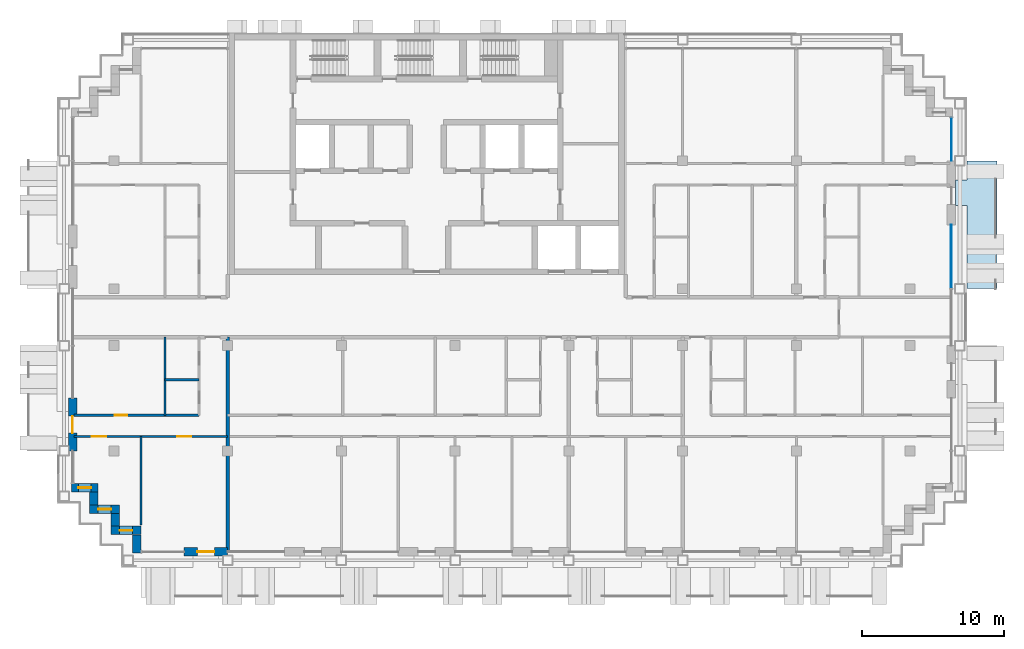
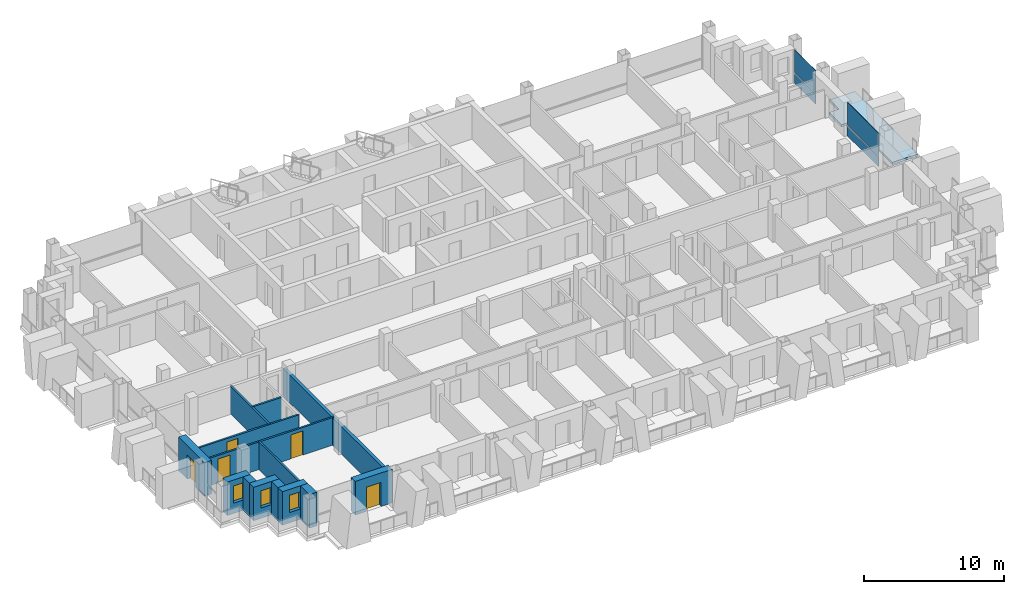
# One storey, part 7 of 16: 14 walls, 5 doors, 4 plates, 3 windows, 1 slab, 8 openings, 2 elements without a shape of their own.
"""IFC4 building model written with IfcOpenShell, lengths in metres."""

from ifc_helpers import new_model, si_unit, direction, frame, frame_2d, origin, origin_2d, place, context, subcontext, project, spatial, polyline, rectangle, outline, extrude, material, layer, layer_set, type_object, element, fill, aggregate, save


model = new_model("IFC4")

# Units and contexts
model_context = context("Model", 3, precision=1e-05, world=origin(), true_north=direction((0.0, 1.0)))
body_context = subcontext(model_context, "Body", "Model", "MODEL_VIEW")
ifc_project = project(units=[si_unit("LENGTHUNIT", "METRE"), si_unit("AREAUNIT", "SQUARE_METRE"), si_unit("VOLUMEUNIT", "CUBIC_METRE"), si_unit("PLANEANGLEUNIT", "RADIAN"), si_unit("MASSUNIT", "GRAM", prefix="KILO")], contexts=[model_context])

# Site, building, storey
site_placement = place(None, origin())
site = spatial("IfcSite", under=ifc_project, at=site_placement, CompositionType="ELEMENT")
building_placement = place(site_placement, origin())
building = spatial("IfcBuilding", under=site, at=building_placement, Name="Vidyagriha Tower", CompositionType="ELEMENT")
storey_placement = place(building_placement, frame((0.0, 0.0, 184.5)))
storey = spatial("IfcBuildingStorey", under=building, at=storey_placement, Name="L48", CompositionType="ELEMENT", Elevation=184.5)

# Curtain wall, plate
ifc_material_1 = material(Name="Aluminium and glass curtain wall", Category="aluminium")
curtain_wall_type = type_object("IfcCurtainWallType", Name="Dwelling skin unitised curtain wall", PredefinedType="USERDEFINED", material=ifc_material_1)
curtain_wall_1_placement = place(storey_placement, origin())
curtain_wall_1 = element("IfcCurtainWall", 1, at=curtain_wall_1_placement, inside=storey, type_object=curtain_wall_type, Name="CW1 dwelling skin", ObjectType="UNITISED", PredefinedType="USERDEFINED")
ifc_material_2 = material(Name="Glass dark ceramic-fritted spandrel", Category="glass")
ifc_layer_1 = layer(ifc_material_2, 0.0400390625)
ifc_layer_set_1 = layer_set([ifc_layer_1], Name="Glass dark ceramic-fritted spandrel")
plate_type_1 = type_object("IfcPlateType", Name="Ceramic-fritted spandrel panel", PredefinedType="CURTAIN_PANEL", material=ifc_layer_set_1)
plate_1_placement = place(storey_placement, frame((36.89990234375, 12.514892578125, 0.0), z_axis=(0.0, 0.0, 1.0), x_axis=(0.0, 1.0, 0.0)))
plate_1 = element("IfcPlate", 2, at=plate_1_placement, type_object=plate_type_1, Name="CW1 panel 1.1", PredefinedType="CURTAIN_PANEL", context=body_context, shape_type="SweptSolid", body=[
    extrude(rectangle(XDim=3.030029296875, YDim=0.0400390625, at=origin_2d()), origin(), (0.0, 0.0, 1.0), 0.85009765625),
])

curtain_wall_2_placement = place(storey_placement, origin())
curtain_wall_2 = element("IfcCurtainWall", 3, at=curtain_wall_2_placement, inside=storey, type_object=curtain_wall_type, Name="CW1 dwelling skin", ObjectType="UNITISED", PredefinedType="USERDEFINED")
ifc_material_3 = material(Name="Glass dark ceramic-fritted", Category="glass")
ifc_layer_2 = layer(ifc_material_3, 0.028076171875)
ifc_layer_set_2 = layer_set([ifc_layer_2], Name="Glass dark ceramic-fritted")
plate_type_2 = type_object("IfcPlateType", Name="Dark ceramic-fritted vision glass panel", PredefinedType="CURTAIN_PANEL", material=ifc_layer_set_2)
plate_2_placement = place(storey_placement, frame((36.89990234375, 4.267578125, 0.9501953125), z_axis=(0.0, 0.0, 1.0), x_axis=(0.0, 1.0, 0.0)))
plate_2 = element("IfcPlate", 4, at=plate_2_placement, type_object=plate_type_2, Name="CW1 panel 2.2", PredefinedType="CURTAIN_PANEL", context=body_context, shape_type="SweptSolid", body=[
    extrude(rectangle(XDim=4.465087890625, YDim=0.028076171875, at=origin_2d()), origin(), (0.0, 0.0, 1.0), 1.969970703125),
])

# Plate
plate_3_placement = place(storey_placement, frame((36.89990234375, 12.514892578125, 0.9501953125), z_axis=(0.0, 0.0, 1.0), x_axis=(0.0, 1.0, 0.0)))
plate_3 = element("IfcPlate", 5, at=plate_3_placement, type_object=plate_type_2, Name="CW1 panel 1.2", PredefinedType="CURTAIN_PANEL", context=body_context, shape_type="SweptSolid", body=[
    extrude(rectangle(XDim=3.030029296875, YDim=0.028076171875, at=origin_2d()), origin(), (0.0, 0.0, 1.0), 1.969970703125),
])

aggregate(curtain_wall_1, [plate_1, plate_3])

ifc_material_4 = material(Name="Aluminium black anodised", Category="aluminium")
ifc_layer_3 = layer(ifc_material_4, 0.06005859375)
ifc_layer_set_3 = layer_set([ifc_layer_3], Name="Aluminium black anodised")
plate_type_3 = type_object("IfcPlateType", Name="Operable black-metal vent panel", PredefinedType="CURTAIN_PANEL", material=ifc_layer_set_3)
plate_4_placement = place(storey_placement, frame((36.89990234375, 4.267578125, 0.0), z_axis=(0.0, 0.0, 1.0), x_axis=(0.0, 1.0, 0.0)))
plate_4 = element("IfcPlate", 6, at=plate_4_placement, type_object=plate_type_3, Name="CW1 panel 2.1", PredefinedType="CURTAIN_PANEL", context=body_context, shape_type="SweptSolid", body=[
    extrude(rectangle(XDim=4.465087890625, YDim=0.06005859375, at=origin_2d()), origin(), (0.0, 0.0, 1.0), 0.85009765625),
])

aggregate(curtain_wall_2, [plate_4, plate_2])

# Slab
ifc_material_5 = material(Name="Precast concrete C40/50", Category="concrete")
ifc_layer_4 = layer(ifc_material_5, 0.199951171875)
ifc_layer_set_4 = layer_set([ifc_layer_4], Name="Precast concrete C40/50")
slab_type = type_object("IfcSlabType", Name="Precast balcony slab 200", PredefinedType="USERDEFINED", material=ifc_layer_set_4)
slab_placement = place(storey_placement, frame((0.0, 0.0, -0.199951171875)))
element("IfcSlab", 7, at=slab_placement, inside=storey, type_object=slab_type, Name="Balcony slab L48 R30.2-2", ObjectType="BALCONY", PredefinedType="USERDEFINED", context=body_context, shape_type="SweptSolid", body=[
    extrude(outline(polyline([(38.0, 7.85009765625), (38.0, 2.0), (40.10009765625, 2.0), (40.10009765625, 11.0), (38.0, 11.0), (38.0, 9.64990234375), (37.199951171875, 9.64990234375), (37.199951171875, 7.85009765625), (38.0, 7.85009765625)])), origin(), (0.0, 0.0, 1.0), 0.199951171875),
])

# Wall, opening, door
ifc_material_6 = material(Name="Precast concrete C40/50 with brick facing", Category="concrete")
ifc_layer_5 = layer(ifc_material_6, 0.60009765625)
ifc_layer_set_5 = layer_set([ifc_layer_5], Name="Precast concrete C40/50 with brick facing")
wall_type_1 = type_object("IfcWallType", Name="Brick-faced precast wall 600", PredefinedType="STANDARD", material=ifc_layer_set_5)
wall_1_placement = place(storey_placement, frame((-24.89990234375, -5.699951171875, 0.0), z_axis=(0.0, 0.0, 1.0), x_axis=(0.0, -1.0, 0.0)))
wall_1 = element("IfcWall", 8, at=wall_1_placement, inside=storey, type_object=wall_type_1, Name="Brick door bay wall L48 R16.6", PredefinedType="STANDARD", context=body_context, shape_type="SweptSolid", body=[
    extrude(rectangle(XDim=3.699951171875, YDim=0.60009765625, at=frame_2d((1.85009765625, 0.0))), origin(), (0.0, 0.0, 1.0), 2.919921875),
])
opening_1_placement = place(wall_1_placement, frame((1.25, 0.0, 0.0)))
opening_1 = element("IfcOpeningElement", 9, at=opening_1_placement, cuts=wall_1, Name="Opening D48-68", PredefinedType="OPENING", context=body_context, shape_type="SweptSolid", body=[
    extrude(rectangle(XDim=1.199951171875, YDim=2.10009765625, at=frame_2d((0.60009765625, 1.050048828125))), frame((0.0, 0.31005859375, 0.0), z_axis=(0.0, -1.0, 0.0), x_axis=(1.0, 0.0, 0.0)), (0.0, 0.0, 1.0), 0.6201171875),
])
ifc_material_7 = material(Name="Aluminium framed glazed sliding door", Category="aluminium")
door_type_1 = type_object("IfcDoorType", Name="Balcony sliding door 1200x2100", OperationType="NOTDEFINED", PredefinedType="DOOR", material=ifc_material_7)
door_1_placement = place(opening_1_placement, origin())
door_1 = element("IfcDoor", 10, at=door_1_placement, inside=storey, type_object=door_type_1, Name="Door D48-68", OperationType="SLIDING_TO_LEFT", OverallHeight=2.10009765625, OverallWidth=1.199951171875, PredefinedType="DOOR", context=body_context, shape_type="SweptSolid", body=[
    extrude(rectangle(XDim=1.199951171875, YDim=2.10009765625, at=frame_2d((0.60009765625, 1.050048828125))), frame((0.0, 0.02490234375, 0.0), z_axis=(0.0, -1.0, 0.0), x_axis=(1.0, 0.0, 0.0)), (0.0, 0.0, 1.0), 0.050048828125),
])
fill(opening_1, door_1)

# Wall, opening, window
wall_2_placement = place(storey_placement, frame((-24.97998046875, -12.0, 0.0)))
wall_2 = element("IfcWall", 11, at=wall_2_placement, inside=storey, type_object=wall_type_1, Name="Stepped corner wall L48 R17", PredefinedType="STANDARD", context=body_context, shape_type="SweptSolid", body=[
    extrude(rectangle(XDim=1.8798828125, YDim=0.60009765625, at=frame_2d((0.93994140625, 0.0))), origin(), (0.0, 0.0, 1.0), 2.919921875),
])
opening_2_placement = place(wall_2_placement, frame((0.489990234375, 0.0, 0.89990234375)))
opening_2 = element("IfcOpeningElement", 12, at=opening_2_placement, cuts=wall_2, Name="Opening WN1", PredefinedType="OPENING", context=body_context, shape_type="SweptSolid", body=[
    extrude(rectangle(XDim=0.89990234375, YDim=1.5, at=frame_2d((0.449951171875, 0.75))), frame((0.0, 0.31005859375, 0.0), z_axis=(0.0, -1.0, 0.0), x_axis=(1.0, 0.0, 0.0)), (0.0, 0.0, 1.0), 0.6201171875),
])
ifc_material_8 = material(Name="Aluminium and glass window", Category="aluminium")
window_type = type_object("IfcWindowType", Name="Reveal window 900x1500", PartitioningType="NOTDEFINED", PredefinedType="WINDOW", material=ifc_material_8)
window_1_placement = place(opening_2_placement, origin())
window_1 = element("IfcWindow", 13, at=window_1_placement, inside=storey, type_object=window_type, Name="Reveal window L48 R17", OverallHeight=1.5, OverallWidth=0.89990234375, PartitioningType="SINGLE_PANEL", PredefinedType="WINDOW", context=body_context, shape_type="SweptSolid", body=[
    extrude(rectangle(XDim=0.89990234375, YDim=1.5, at=frame_2d((0.449951171875, 0.75))), frame((0.0, 0.030029296875, 0.0), z_axis=(0.0, -1.0, 0.0), x_axis=(1.0, 0.0, 0.0)), (0.0, 0.0, 1.0), 0.06005859375),
])
fill(opening_2, window_1)

# Wall
wall_3_placement = place(storey_placement, frame((-23.39990234375, -12.300048828125, 0.0), z_axis=(0.0, 0.0, 1.0), x_axis=(0.0, -1.0, 0.0)))
element("IfcWall", 14, at=wall_3_placement, inside=storey, type_object=wall_type_1, Name="Stepped corner wall L48 R18", PredefinedType="STANDARD", context=body_context, shape_type="SweptSolid", body=[
    extrude(rectangle(XDim=0.89990234375, YDim=0.60009765625, at=frame_2d((0.449951171875, 0.0))), origin(), (0.0, 0.0, 1.0), 2.919921875),
])

# Wall, opening, window
wall_4_placement = place(storey_placement, frame((-23.699951171875, -13.5, 0.0)))
wall_4 = element("IfcWall", 15, at=wall_4_placement, inside=storey, type_object=wall_type_1, Name="Stepped corner wall L48 R19", PredefinedType="STANDARD", context=body_context, shape_type="SweptSolid", body=[
    extrude(rectangle(XDim=2.099853515625, YDim=0.60009765625, at=frame_2d((1.0498046875, 0.0))), origin(), (0.0, 0.0, 1.0), 2.919921875),
])
opening_3_placement = place(wall_4_placement, frame((0.60009765625, 0.0, 0.89990234375)))
opening_3 = element("IfcOpeningElement", 16, at=opening_3_placement, cuts=wall_4, Name="Opening WN1", PredefinedType="OPENING", context=body_context, shape_type="SweptSolid", body=[
    extrude(rectangle(XDim=0.89990234375, YDim=1.5, at=frame_2d((0.449951171875, 0.75))), frame((0.0, 0.31005859375, 0.0), z_axis=(0.0, -1.0, 0.0), x_axis=(1.0, 0.0, 0.0)), (0.0, 0.0, 1.0), 0.6201171875),
])
window_2_placement = place(opening_3_placement, origin())
window_2 = element("IfcWindow", 17, at=window_2_placement, inside=storey, type_object=window_type, Name="Reveal window L48 R19", OverallHeight=1.5, OverallWidth=0.89990234375, PartitioningType="SINGLE_PANEL", PredefinedType="WINDOW", context=body_context, shape_type="SweptSolid", body=[
    extrude(rectangle(XDim=0.89990234375, YDim=1.5, at=frame_2d((0.449951171875, 0.75))), frame((0.0, 0.030029296875, 0.0), z_axis=(0.0, -1.0, 0.0), x_axis=(1.0, 0.0, 0.0)), (0.0, 0.0, 1.0), 0.06005859375),
])
fill(opening_3, window_2)

# Wall
wall_5_placement = place(storey_placement, frame((-21.89990234375, -13.800048828125, 0.0), z_axis=(0.0, 0.0, 1.0), x_axis=(0.0, -1.0, 0.0)))
element("IfcWall", 18, at=wall_5_placement, inside=storey, type_object=wall_type_1, Name="Stepped corner wall L48 R20", PredefinedType="STANDARD", context=body_context, shape_type="SweptSolid", body=[
    extrude(rectangle(XDim=0.89990234375, YDim=0.60009765625, at=frame_2d((0.449951171875, 0.0))), origin(), (0.0, 0.0, 1.0), 2.919921875),
])

# Wall, opening, window
wall_6_placement = place(storey_placement, frame((-22.199951171875, -15.0, 0.0)))
wall_6 = element("IfcWall", 19, at=wall_6_placement, inside=storey, type_object=wall_type_1, Name="Stepped corner wall L48 R21", PredefinedType="STANDARD", context=body_context, shape_type="SweptSolid", body=[
    extrude(rectangle(XDim=2.099853515625, YDim=0.60009765625, at=frame_2d((1.0498046875, 0.0))), origin(), (0.0, 0.0, 1.0), 2.919921875),
])
opening_4_placement = place(wall_6_placement, frame((0.60009765625, 0.0, 0.89990234375)))
opening_4 = element("IfcOpeningElement", 20, at=opening_4_placement, cuts=wall_6, Name="Opening WN1", PredefinedType="OPENING", context=body_context, shape_type="SweptSolid", body=[
    extrude(rectangle(XDim=0.89990234375, YDim=1.5, at=frame_2d((0.449951171875, 0.75))), frame((0.0, 0.31005859375, 0.0), z_axis=(0.0, -1.0, 0.0), x_axis=(1.0, 0.0, 0.0)), (0.0, 0.0, 1.0), 0.6201171875),
])
window_3_placement = place(opening_4_placement, origin())
window_3 = element("IfcWindow", 21, at=window_3_placement, inside=storey, type_object=window_type, Name="Reveal window L48 R21", OverallHeight=1.5, OverallWidth=0.89990234375, PartitioningType="SINGLE_PANEL", PredefinedType="WINDOW", context=body_context, shape_type="SweptSolid", body=[
    extrude(rectangle(XDim=0.89990234375, YDim=1.5, at=frame_2d((0.449951171875, 0.75))), frame((0.0, 0.030029296875, 0.0), z_axis=(0.0, -1.0, 0.0), x_axis=(1.0, 0.0, 0.0)), (0.0, 0.0, 1.0), 0.06005859375),
])
fill(opening_4, window_3)

# Wall
wall_7_placement = place(storey_placement, frame((-20.39990234375, -15.300048828125, 0.0), z_axis=(0.0, 0.0, 1.0), x_axis=(0.0, -1.0, 0.0)))
element("IfcWall", 22, at=wall_7_placement, inside=storey, type_object=wall_type_1, Name="Stepped corner wall L48 R22", PredefinedType="STANDARD", context=body_context, shape_type="SweptSolid", body=[
    extrude(rectangle(XDim=1.280029296875, YDim=0.60009765625, at=frame_2d((0.64013671875, 0.0))), origin(), (0.0, 0.0, 1.0), 2.919921875),
])

# Wall, opening, door
wall_8_placement = place(storey_placement, frame((-17.050048828125, -16.5, 0.0)))
wall_8 = element("IfcWall", 23, at=wall_8_placement, inside=storey, type_object=wall_type_1, Name="Brick door bay wall L48 R23.2", PredefinedType="STANDARD", context=body_context, shape_type="SweptSolid", body=[
    extrude(rectangle(XDim=3.050048828125, YDim=0.60009765625, at=frame_2d((1.52490234375, 0.0))), origin(), (0.0, 0.0, 1.0), 2.919921875),
])
opening_5_placement = place(wall_8_placement, frame((0.925048828125, 0.0, 0.0)))
opening_5 = element("IfcOpeningElement", 24, at=opening_5_placement, cuts=wall_8, Name="Opening D48-69", PredefinedType="OPENING", context=body_context, shape_type="SweptSolid", body=[
    extrude(rectangle(XDim=1.199951171875, YDim=2.10009765625, at=frame_2d((0.60009765625, 1.050048828125))), frame((0.0, 0.31005859375, 0.0), z_axis=(0.0, -1.0, 0.0), x_axis=(1.0, 0.0, 0.0)), (0.0, 0.0, 1.0), 0.6201171875),
])
door_2_placement = place(opening_5_placement, origin())
door_2 = element("IfcDoor", 25, at=door_2_placement, inside=storey, type_object=door_type_1, Name="Door D48-69", OperationType="SLIDING_TO_LEFT", OverallHeight=2.10009765625, OverallWidth=1.199951171875, PredefinedType="DOOR", context=body_context, shape_type="SweptSolid", body=[
    extrude(rectangle(XDim=1.199951171875, YDim=2.10009765625, at=frame_2d((0.60009765625, 1.050048828125))), frame((0.0, 0.02490234375, 0.0), z_axis=(0.0, -1.0, 0.0), x_axis=(1.0, 0.0, 0.0)), (0.0, 0.0, 1.0), 0.050048828125),
])
fill(opening_5, door_2)

# Walls
ifc_material_9 = material(Name="Fired clay brick masonry", Category="masonry")
ifc_layer_6 = layer(ifc_material_9, 0.25)
ifc_layer_set_6 = layer_set([ifc_layer_6], Name="Fired clay brick masonry")
wall_type_2 = type_object("IfcWallType", Name="Fired clay brick demising wall 250", PredefinedType="PARTITIONING", material=ifc_layer_set_6)
wall_9_placement = place(storey_placement, frame((-14.0, -1.39990234375, 0.0), z_axis=(0.0, 0.0, 1.0), x_axis=(0.0, -1.0, 0.0)))
element("IfcWall", 26, at=wall_9_placement, inside=storey, type_object=wall_type_2, Name="Wall all-L48-w035", PredefinedType="PARTITIONING", context=body_context, shape_type="SweptSolid", body=[
    extrude(rectangle(XDim=15.010009765625, YDim=0.25, at=frame_2d((7.5048828125, 0.0))), origin(), (0.0, 0.0, 1.0), 2.39990234375),
])
ifc_material_10 = material(Name="Gypsum board partition")
ifc_layer_7 = layer(ifc_material_10, 0.14990234375)
ifc_layer_set_7 = layer_set([ifc_layer_7], Name="Gypsum board partition")
wall_type_3 = type_object("IfcWallType", Name="Gypsum board partition 150", PredefinedType="PARTITIONING", material=ifc_layer_set_7)
wall_10_placement = place(storey_placement, frame((-16.0, -4.39990234375, 0.0), z_axis=(0.0, 0.0, 1.0), x_axis=(-1.0, 0.0, 0.0)))
element("IfcWall", 27, at=wall_10_placement, inside=storey, type_object=wall_type_3, Name="Wall all-L48-w004", PredefinedType="PARTITIONING", context=body_context, shape_type="SweptSolid", body=[
    extrude(rectangle(XDim=2.39990234375, YDim=0.14990234375, at=frame_2d((1.199951171875, 0.0))), origin(), (0.0, 0.0, 1.0), 2.39990234375),
])
wall_11_placement = place(storey_placement, frame((-18.39990234375, -6.89990234375, 0.0), z_axis=(0.0, 0.0, 1.0), x_axis=(0.0, 1.0, 0.0)))
element("IfcWall", 28, at=wall_11_placement, inside=storey, type_object=wall_type_3, Name="Wall all-L48-w005", PredefinedType="PARTITIONING", context=body_context, shape_type="SweptSolid", body=[
    extrude(rectangle(XDim=5.5, YDim=0.14990234375, at=frame_2d((2.75, 0.0))), origin(), (0.0, 0.0, 1.0), 2.39990234375),
])

# Wall, opening, door
wall_12_placement = place(storey_placement, frame((-24.81005859375, -6.89990234375, 0.0)))
wall_12 = element("IfcWall", 29, at=wall_12_placement, inside=storey, type_object=wall_type_3, Name="Wall all-L48-w006", PredefinedType="PARTITIONING", context=body_context, shape_type="SweptSolid", body=[
    extrude(rectangle(XDim=8.81005859375, YDim=0.14990234375, at=frame_2d((4.405029296875, 0.0))), origin(), (0.0, 0.0, 1.0), 2.39990234375),
])
opening_6_placement = place(wall_12_placement, frame((2.860107421875, 0.0, 0.0)))
opening_6 = element("IfcOpeningElement", 30, at=opening_6_placement, cuts=wall_12, Name="Opening D48-17", PredefinedType="OPENING", context=body_context, shape_type="SweptSolid", body=[
    extrude(rectangle(XDim=0.89990234375, YDim=2.10009765625, at=frame_2d((0.449951171875, 1.050048828125))), frame((0.0, 0.0849609375, 0.0), z_axis=(0.0, -1.0, 0.0), x_axis=(1.0, 0.0, 0.0)), (0.0, 0.0, 1.0), 0.169921875),
])
ifc_material_11 = material(Name="Timber door leaf", Category="wood")
door_type_2 = type_object("IfcDoorType", Name="Room door 900x2100", OperationType="NOTDEFINED", PredefinedType="DOOR", material=ifc_material_11)
door_3_placement = place(opening_6_placement, origin())
door_3 = element("IfcDoor", 31, at=door_3_placement, inside=storey, type_object=door_type_2, Name="Door D48-17", OperationType="SINGLE_SWING_RIGHT", OverallHeight=2.10009765625, OverallWidth=0.89990234375, PredefinedType="DOOR", context=body_context, shape_type="SweptSolid", body=[
    extrude(rectangle(XDim=0.89990234375, YDim=2.10009765625, at=frame_2d((0.449951171875, 1.050048828125))), frame((0.0, 0.02490234375, 0.0), z_axis=(0.0, -1.0, 0.0), x_axis=(1.0, 0.0, 0.0)), (0.0, 0.0, 1.0), 0.050048828125),
])
fill(opening_6, door_3)

# Wall, openings, doors
wall_13_placement = place(storey_placement, frame((-14.0, -8.39990234375, 0.0), z_axis=(0.0, 0.0, 1.0), x_axis=(-1.0, 0.0, 0.0)))
wall_13 = element("IfcWall", 32, at=wall_13_placement, inside=storey, type_object=wall_type_3, Name="Wall all-L48-w008", PredefinedType="PARTITIONING", context=body_context, shape_type="SweptSolid", body=[
    extrude(rectangle(XDim=10.81005859375, YDim=0.14990234375, at=frame_2d((5.405029296875, 0.0))), origin(), (0.0, 0.0, 1.0), 2.39990234375),
])
opening_7_placement = place(wall_13_placement, frame((8.547119140625, 0.0, 0.0)))
opening_7 = element("IfcOpeningElement", 33, at=opening_7_placement, cuts=wall_13, Name="Opening D48-18", PredefinedType="OPENING", context=body_context, shape_type="SweptSolid", body=[
    extrude(rectangle(XDim=1.0, YDim=2.10009765625, at=frame_2d((0.5, 1.050048828125))), frame((0.0, 0.0849609375, 0.0), z_axis=(0.0, -1.0, 0.0), x_axis=(1.0, 0.0, 0.0)), (0.0, 0.0, 1.0), 0.169921875),
])
opening_8_placement = place(wall_13_placement, frame((2.550048828125, 0.0, 0.0)))
opening_8 = element("IfcOpeningElement", 34, at=opening_8_placement, cuts=wall_13, Name="Opening D48-19", PredefinedType="OPENING", context=body_context, shape_type="SweptSolid", body=[
    extrude(rectangle(XDim=1.0, YDim=2.10009765625, at=frame_2d((0.5, 1.050048828125))), frame((0.0, 0.0849609375, 0.0), z_axis=(0.0, -1.0, 0.0), x_axis=(1.0, 0.0, 0.0)), (0.0, 0.0, 1.0), 0.169921875),
])
ifc_material_12 = material(Name="Timber door leaf", Category="wood")
door_type_3 = type_object("IfcDoorType", Name="Room door 1000x2100", OperationType="NOTDEFINED", PredefinedType="DOOR", material=ifc_material_12)
door_4_placement = place(opening_7_placement, origin())
door_4 = element("IfcDoor", 35, at=door_4_placement, inside=storey, type_object=door_type_3, Name="Door D48-18", OperationType="SINGLE_SWING_RIGHT", OverallHeight=2.10009765625, OverallWidth=1.0, PredefinedType="DOOR", context=body_context, shape_type="SweptSolid", body=[
    extrude(rectangle(XDim=1.0, YDim=2.10009765625, at=frame_2d((0.5, 1.050048828125))), frame((0.0, 0.02490234375, 0.0), z_axis=(0.0, -1.0, 0.0), x_axis=(1.0, 0.0, 0.0)), (0.0, 0.0, 1.0), 0.050048828125),
])
fill(opening_7, door_4)
door_5_placement = place(opening_8_placement, origin())
door_5 = element("IfcDoor", 36, at=door_5_placement, inside=storey, type_object=door_type_3, Name="Door D48-19", OperationType="SINGLE_SWING_RIGHT", OverallHeight=2.10009765625, OverallWidth=1.0, PredefinedType="DOOR", context=body_context, shape_type="SweptSolid", body=[
    extrude(rectangle(XDim=1.0, YDim=2.10009765625, at=frame_2d((0.5, 1.050048828125))), frame((0.0, 0.02490234375, 0.0), z_axis=(0.0, -1.0, 0.0), x_axis=(1.0, 0.0, 0.0)), (0.0, 0.0, 1.0), 0.050048828125),
])
fill(opening_8, door_5)

# Wall
wall_14_placement = place(storey_placement, frame((-20.10009765625, -8.39990234375, 0.0), z_axis=(0.0, 0.0, 1.0), x_axis=(0.0, -1.0, 0.0)))
element("IfcWall", 37, at=wall_14_placement, inside=storey, type_object=wall_type_3, Name="Wall all-L48-w011", PredefinedType="PARTITIONING", context=body_context, shape_type="SweptSolid", body=[
    extrude(rectangle(XDim=6.22021484375, YDim=0.14990234375, at=frame_2d((3.110107421875, 0.0))), origin(), (0.0, 0.0, 1.0), 2.39990234375),
])

save(model, "model.ifc")
